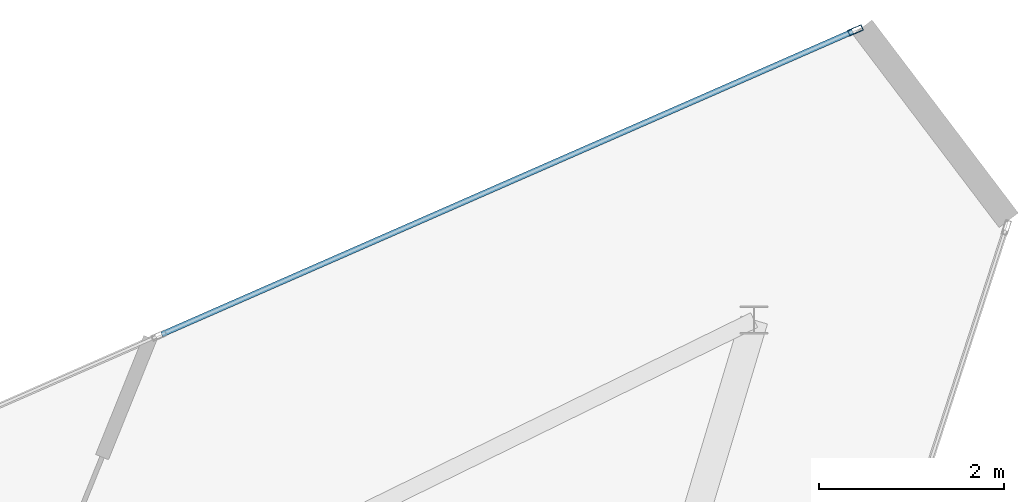
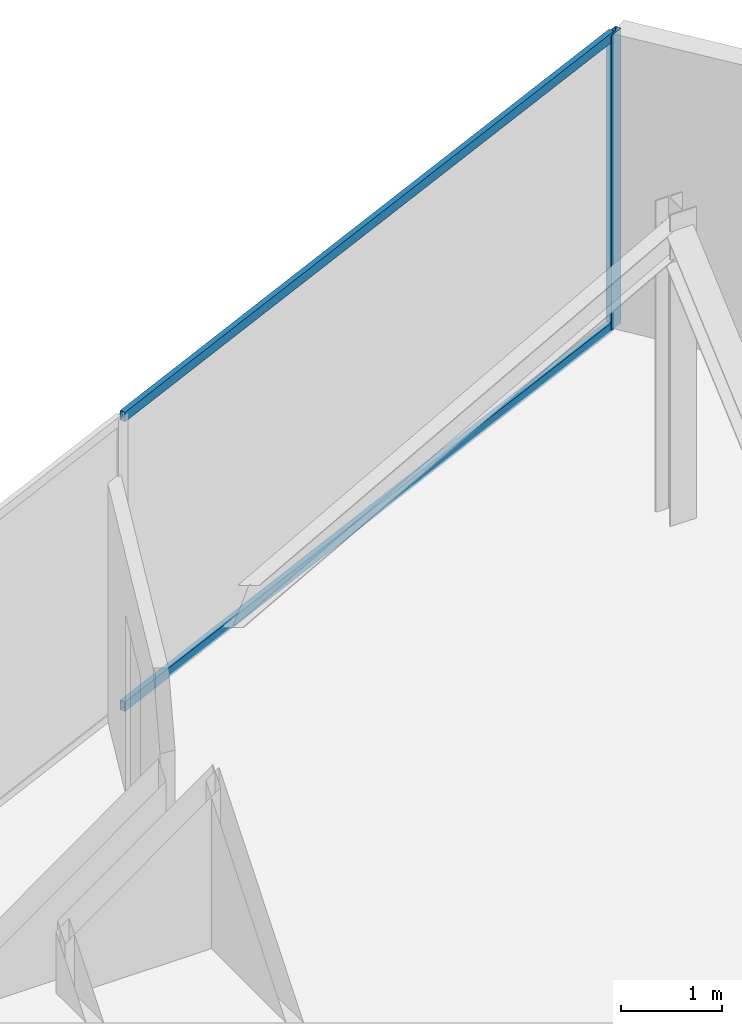
# One storey, part 13 of 16: 3 members, 1 element without a shape of its own.
"""IFC4 building model written with IfcOpenShell, lengths in metres."""

from ifc_helpers import new_model, si_unit, direction, frame, origin, origin_2d, place, context, subcontext, project, spatial, hollow_rectangle, extrude, material, layer, layer_set, material_profile, profile_set, type_object, element, aggregate, save


model = new_model("IFC4")

# Units and contexts
model_context = context("Model", 3, precision=1e-05, world=origin(), true_north=direction((0.0, 1.0)))
body_context = subcontext(model_context, "Body", "Model", "MODEL_VIEW")
ifc_project = project(units=[si_unit("LENGTHUNIT", "METRE"), si_unit("AREAUNIT", "SQUARE_METRE"), si_unit("VOLUMEUNIT", "CUBIC_METRE"), si_unit("PLANEANGLEUNIT", "RADIAN"), si_unit("MASSUNIT", "GRAM", prefix="KILO")], contexts=[model_context])

# Site, building, storey
site_placement = place(None, origin())
site = spatial("IfcSite", under=ifc_project, at=site_placement, CompositionType="ELEMENT")
building_placement = place(site_placement, origin())
building = spatial("IfcBuilding", under=site, at=building_placement, Name="Qianvela Tower", CompositionType="ELEMENT")
storey_placement = place(building_placement, frame((0.0, 0.0, 367.550048828125)))
storey = spatial("IfcBuildingStorey", under=building, at=storey_placement, Name="L95", CompositionType="ELEMENT", Elevation=367.550048828125)

# Curtain wall, members
ifc_material_1 = material(Name="Anodised Architectural Aluminium and Low-E Glass", Category="aluminium")
ifc_layer = layer(ifc_material_1, 0.159912109375)
ifc_layer_set = layer_set([ifc_layer], Name="Anodised Architectural Aluminium and Low-E Glass")
curtain_wall_type = type_object("IfcCurtainWallType", Name="CW-CROWN", PredefinedType="USERDEFINED", material=ifc_layer_set)
curtain_wall_placement = place(storey_placement, origin())
curtain_wall = element("IfcCurtainWall", 1, at=curtain_wall_placement, inside=storey, type_object=curtain_wall_type, Name="L95 CW-CROWN Curtain Wall 02", ObjectType="CURTAIN_WALL_SYSTEM", PredefinedType="USERDEFINED")
ifc_material_2 = material(Name="Anodised Architectural Aluminium 6063-T6", Category="aluminium")
ifc_material_profile_1 = material_profile(ifc_material_2, hollow_rectangle(XDim=0.06494140625, YDim=0.159912109375, WallThickness=0.0048828125, at=origin_2d()), Name="ALU-MULL-65x160")
ifc_profile_set_1 = profile_set([ifc_material_profile_1], Name="Anodised Architectural Aluminium 6063-T6")
member_type_1 = type_object("IfcMemberType", Name="CW-CROWN-MULL", PredefinedType="MULLION", material=ifc_profile_set_1)
member_1_placement = place(storey_placement, frame((50.341552734375, 41.994140625, 0.0), z_axis=(0.0, 0.0, 1.0), x_axis=(0.401389946055, -0.915907261247, 0.0)))
member_1 = element("IfcMember", 2, at=member_1_placement, type_object=member_type_1, Name="CW-8 mullion 1", PredefinedType="MULLION", context=body_context, shape_type="SweptSolid", body=[
    extrude(hollow_rectangle(XDim=0.06494140625, YDim=0.159912109375, WallThickness=0.0048828125, at=origin_2d()), origin(), (0.0, 0.0, 1.0), 3.550048828125),
])
ifc_material_3 = material(Name="Anodised Architectural Aluminium 6063-T6", Category="aluminium")
ifc_material_profile_2 = material_profile(ifc_material_3, hollow_rectangle(XDim=0.06005859375, YDim=0.114990234375, WallThickness=0.00390625, at=origin_2d()), Name="ALU-TRAN-60x115")
ifc_profile_set_2 = profile_set([ifc_material_profile_2], Name="Anodised Architectural Aluminium 6063-T6")
member_type_2 = type_object("IfcMemberType", Name="CW-CROWN-TRAN", PredefinedType="USERDEFINED", material=ifc_profile_set_2)
member_2_placement = place(storey_placement, frame((50.311767578125, 41.98095703125, 0.030029296875), z_axis=(-0.915901167515, -0.401403850684, 0.0), x_axis=(0.401403850684, -0.915901167515, 0.0)))
member_2 = element("IfcMember", 3, at=member_2_placement, type_object=member_type_2, Name="CW-8 transom 1.1", ObjectType="TRANSOM", PredefinedType="USERDEFINED", context=body_context, shape_type="SweptSolid", body=[
    extrude(hollow_rectangle(XDim=0.06005859375, YDim=0.114990234375, WallThickness=0.00390625, at=origin_2d()), origin(), (0.0, 0.0, 1.0), 8.142822265625),
])
member_3_placement = place(storey_placement, frame((50.311767578125, 41.98095703125, 3.52001953125), z_axis=(-0.915901167515, -0.401403850684, 0.0), x_axis=(0.401403850684, -0.915901167515, 0.0)))
member_3 = element("IfcMember", 4, at=member_3_placement, type_object=member_type_2, Name="CW-8 transom 1.2", ObjectType="TRANSOM", PredefinedType="USERDEFINED", context=body_context, shape_type="SweptSolid", body=[
    extrude(hollow_rectangle(XDim=0.06005859375, YDim=0.114990234375, WallThickness=0.00390625, at=origin_2d()), origin(), (0.0, 0.0, 1.0), 8.142822265625),
])
aggregate(curtain_wall, [member_1, member_2, member_3])

save(model, "model.ifc")
